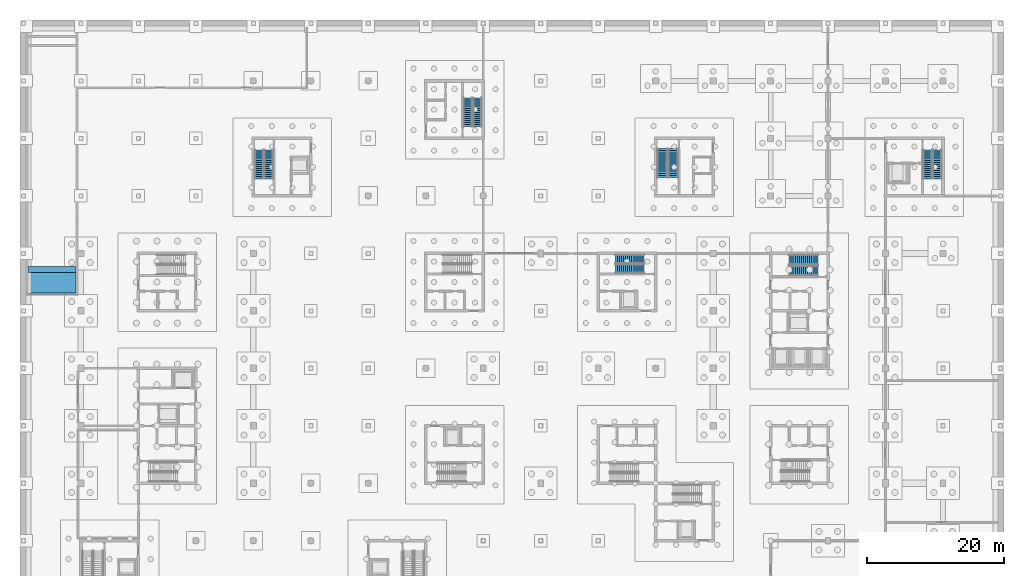
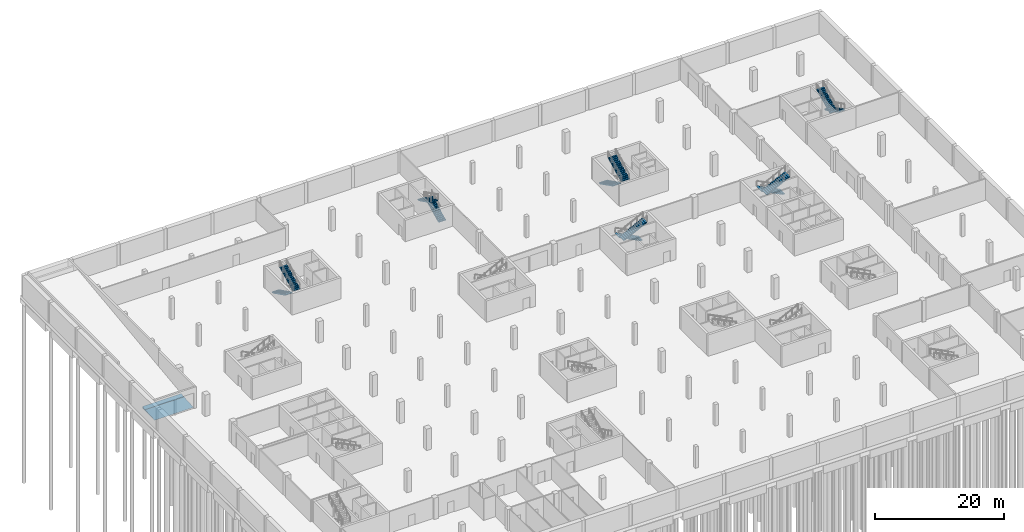
# One storey, part 20 of 23: 12 stair flights, 2 ramp flights, 7 elements without a shape of their own.
"""IFC4 building model written with IfcOpenShell, lengths in metres."""

from ifc_helpers import new_model, si_unit, direction, frame, origin, place, context, subcontext, project, spatial, polyline, outline, extrude, material, layer, layer_set, type_object, element, aggregate, save


model = new_model("IFC4")

# Units and contexts
model_context = context("Model", 3, precision=1e-05, world=origin(), true_north=direction((0.0, 1.0)))
body_context = subcontext(model_context, "Body", "Model", "MODEL_VIEW")
ifc_project = project(units=[si_unit("LENGTHUNIT", "METRE"), si_unit("AREAUNIT", "SQUARE_METRE"), si_unit("VOLUMEUNIT", "CUBIC_METRE"), si_unit("PLANEANGLEUNIT", "RADIAN"), si_unit("MASSUNIT", "GRAM", prefix="KILO")], contexts=[model_context])

# Site, building, storey
site_placement = place(None, origin())
site = spatial("IfcSite", under=ifc_project, at=site_placement, CompositionType="ELEMENT")
building_placement = place(site_placement, origin())
building = spatial("IfcBuilding", under=site, at=building_placement, Name="Hlaing Beacon Police Headquarters", CompositionType="ELEMENT")
storey_placement = place(building_placement, frame((0.0, 0.0, -4.5)))
storey = spatial("IfcBuildingStorey", under=building, at=storey_placement, Name="B1", CompositionType="ELEMENT", Elevation=-4.5)

# Stair, stair flights
ifc_material_1 = material(Name="Concrete C40/50", Category="concrete")
stair_type_1 = type_object("IfcStairType", Name="Half-turn stair 1300 wide, 4500 rise", PredefinedType="HALF_TURN_STAIR", material=ifc_material_1)
stair_1_placement = place(storey_placement, origin())
stair_1 = element("IfcStair", 1, at=stair_1_placement, inside=storey, type_object=stair_type_1, Name="Stair ST-D", PredefinedType="HALF_TURN_STAIR")
ifc_material_2 = material(Name="Concrete C40/50", Category="concrete")
stair_flight_type_1 = type_object("IfcStairFlightType", Name="Stair flight 1300 wide, 15 risers", PredefinedType="STRAIGHT", material=ifc_material_2)
stair_flight_1_placement = place(storey_placement, frame((90.699951171875, 66.35009765625, 0.0), z_axis=(0.0, 0.0, 1.0), x_axis=(-1.0, 0.0, 0.0)))
stair_flight_1 = element("IfcStairFlight", 2, at=stair_flight_1_placement, type_object=stair_flight_type_1, Name="ST-D flight 1", NumberOfRisers=15, NumberOfTreads=14, PredefinedType="STRAIGHT", RiserHeight=0.15, TreadLength=0.3, context=body_context, shape_type="SweptSolid", body=[
    extrude(outline(polyline([(0.0, 0.0), (0.0, 0.14990234375), (0.300048828125, 0.14990234375), (0.300048828125, 0.300048828125), (0.60009765625, 0.300048828125), (0.60009765625, 0.449951171875), (0.89990234375, 0.449951171875), (0.89990234375, 0.60009765625), (1.199951171875, 0.60009765625), (1.199951171875, 0.75), (1.5, 0.75), (1.5, 0.89990234375), (1.800048828125, 0.89990234375), (1.800048828125, 1.050048828125), (2.10009765625, 1.050048828125), (2.10009765625, 1.199951171875), (2.39990234375, 1.199951171875), (2.39990234375, 1.35009765625), (2.699951171875, 1.35009765625), (2.699951171875, 1.5), (3.0, 1.5), (3.0, 1.64990234375), (3.300048828125, 1.64990234375), (3.300048828125, 1.800048828125), (3.60009765625, 1.800048828125), (3.60009765625, 1.949951171875), (3.89990234375, 1.949951171875), (3.89990234375, 2.10009765625), (4.199951171875, 2.10009765625), (4.199951171875, 2.25), (4.199951171875, 1.932373046875), (0.335205078125, 0.0), (0.0, 0.0)])), frame((0.0, 0.64990234375, 0.0), z_axis=(0.0, -1.0, 0.0), x_axis=(1.0, 0.0, 0.0)), (0.0, 0.0, 1.0), 1.300048828125),
])
stair_flight_2_placement = place(storey_placement, frame((86.5, 64.949951171875, 2.25), z_axis=(0.0, 0.0, 1.0), x_axis=(1.0, 0.0, 0.0)))
stair_flight_2 = element("IfcStairFlight", 3, at=stair_flight_2_placement, type_object=stair_flight_type_1, Name="ST-D flight 2", NumberOfRisers=15, NumberOfTreads=14, PredefinedType="STRAIGHT", RiserHeight=0.15, TreadLength=0.3, context=body_context, shape_type="SweptSolid", body=[
    extrude(outline(polyline([(0.0, 0.0), (0.0, 0.14990234375), (0.300048828125, 0.14990234375), (0.300048828125, 0.300048828125), (0.60009765625, 0.300048828125), (0.60009765625, 0.449951171875), (0.89990234375, 0.449951171875), (0.89990234375, 0.60009765625), (1.199951171875, 0.60009765625), (1.199951171875, 0.75), (1.5, 0.75), (1.5, 0.89990234375), (1.800048828125, 0.89990234375), (1.800048828125, 1.050048828125), (2.10009765625, 1.050048828125), (2.10009765625, 1.199951171875), (2.39990234375, 1.199951171875), (2.39990234375, 1.35009765625), (2.699951171875, 1.35009765625), (2.699951171875, 1.5), (3.0, 1.5), (3.0, 1.64990234375), (3.300048828125, 1.64990234375), (3.300048828125, 1.800048828125), (3.60009765625, 1.800048828125), (3.60009765625, 1.949951171875), (3.89990234375, 1.949951171875), (3.89990234375, 2.10009765625), (4.199951171875, 2.10009765625), (4.199951171875, 2.25), (4.199951171875, 1.932373046875), (0.335205078125, 0.0), (0.0, 0.0)])), frame((0.0, 0.64990234375, 0.0), z_axis=(0.0, -1.0, 0.0), x_axis=(1.0, 0.0, 0.0)), (0.0, 0.0, 1.0), 1.300048828125),
])
aggregate(stair_1, [stair_flight_1, stair_flight_2])

stair_2_placement = place(storey_placement, origin())
stair_2 = element("IfcStair", 4, at=stair_2_placement, inside=storey, type_object=stair_type_1, Name="Stair ST-E", PredefinedType="HALF_TURN_STAIR")
stair_flight_3_placement = place(storey_placement, frame((34.449951171875, 82.300048828125, 0.0), z_axis=(0.0, 0.0, 1.0), x_axis=(0.0, -1.0, 0.0)))
stair_flight_3 = element("IfcStairFlight", 5, at=stair_flight_3_placement, type_object=stair_flight_type_1, Name="ST-E flight 1", NumberOfRisers=15, NumberOfTreads=14, PredefinedType="STRAIGHT", RiserHeight=0.15, TreadLength=0.3, context=body_context, shape_type="SweptSolid", body=[
    extrude(outline(polyline([(0.0, 0.0), (0.0, 0.14990234375), (0.300048828125, 0.14990234375), (0.300048828125, 0.300048828125), (0.60009765625, 0.300048828125), (0.60009765625, 0.449951171875), (0.89990234375, 0.449951171875), (0.89990234375, 0.60009765625), (1.199951171875, 0.60009765625), (1.199951171875, 0.75), (1.5, 0.75), (1.5, 0.89990234375), (1.800048828125, 0.89990234375), (1.800048828125, 1.050048828125), (2.10009765625, 1.050048828125), (2.10009765625, 1.199951171875), (2.39990234375, 1.199951171875), (2.39990234375, 1.35009765625), (2.699951171875, 1.35009765625), (2.699951171875, 1.5), (3.0, 1.5), (3.0, 1.64990234375), (3.300048828125, 1.64990234375), (3.300048828125, 1.800048828125), (3.60009765625, 1.800048828125), (3.60009765625, 1.949951171875), (3.89990234375, 1.949951171875), (3.89990234375, 2.10009765625), (4.199951171875, 2.10009765625), (4.199951171875, 2.25), (4.199951171875, 1.932373046875), (0.335205078125, 0.0), (0.0, 0.0)])), frame((0.0, 0.64990234375, 0.0), z_axis=(0.0, -1.0, 0.0), x_axis=(1.0, 0.0, 0.0)), (0.0, 0.0, 1.0), 1.300048828125),
])
stair_flight_4_placement = place(storey_placement, frame((35.85009765625, 78.10009765625, 2.25), z_axis=(0.0, 0.0, 1.0), x_axis=(0.0, 1.0, 0.0)))
stair_flight_4 = element("IfcStairFlight", 6, at=stair_flight_4_placement, type_object=stair_flight_type_1, Name="ST-E flight 2", NumberOfRisers=15, NumberOfTreads=14, PredefinedType="STRAIGHT", RiserHeight=0.15, TreadLength=0.3, context=body_context, shape_type="SweptSolid", body=[
    extrude(outline(polyline([(0.0, 0.0), (0.0, 0.14990234375), (0.300048828125, 0.14990234375), (0.300048828125, 0.300048828125), (0.60009765625, 0.300048828125), (0.60009765625, 0.449951171875), (0.89990234375, 0.449951171875), (0.89990234375, 0.60009765625), (1.199951171875, 0.60009765625), (1.199951171875, 0.75), (1.5, 0.75), (1.5, 0.89990234375), (1.800048828125, 0.89990234375), (1.800048828125, 1.050048828125), (2.10009765625, 1.050048828125), (2.10009765625, 1.199951171875), (2.39990234375, 1.199951171875), (2.39990234375, 1.35009765625), (2.699951171875, 1.35009765625), (2.699951171875, 1.5), (3.0, 1.5), (3.0, 1.64990234375), (3.300048828125, 1.64990234375), (3.300048828125, 1.800048828125), (3.60009765625, 1.800048828125), (3.60009765625, 1.949951171875), (3.89990234375, 1.949951171875), (3.89990234375, 2.10009765625), (4.199951171875, 2.10009765625), (4.199951171875, 2.25), (4.199951171875, 1.932373046875), (0.335205078125, 0.0), (0.0, 0.0)])), frame((0.0, 0.64990234375, 0.0), z_axis=(0.0, -1.0, 0.0), x_axis=(1.0, 0.0, 0.0)), (0.0, 0.0, 1.0), 1.300048828125),
])
aggregate(stair_2, [stair_flight_3, stair_flight_4])

stair_3_placement = place(storey_placement, origin())
stair_3 = element("IfcStair", 7, at=stair_3_placement, inside=storey, type_object=stair_type_1, Name="Stair ST-F", PredefinedType="HALF_TURN_STAIR")
stair_flight_5_placement = place(storey_placement, frame((66.35009765625, 85.699951171875, 0.0), z_axis=(0.0, 0.0, 1.0), x_axis=(0.0, 1.0, 0.0)))
stair_flight_5 = element("IfcStairFlight", 8, at=stair_flight_5_placement, type_object=stair_flight_type_1, Name="ST-F flight 1", NumberOfRisers=15, NumberOfTreads=14, PredefinedType="STRAIGHT", RiserHeight=0.15, TreadLength=0.3, context=body_context, shape_type="SweptSolid", body=[
    extrude(outline(polyline([(0.0, 0.0), (0.0, 0.14990234375), (0.300048828125, 0.14990234375), (0.300048828125, 0.300048828125), (0.60009765625, 0.300048828125), (0.60009765625, 0.449951171875), (0.89990234375, 0.449951171875), (0.89990234375, 0.60009765625), (1.199951171875, 0.60009765625), (1.199951171875, 0.75), (1.5, 0.75), (1.5, 0.89990234375), (1.800048828125, 0.89990234375), (1.800048828125, 1.050048828125), (2.10009765625, 1.050048828125), (2.10009765625, 1.199951171875), (2.39990234375, 1.199951171875), (2.39990234375, 1.35009765625), (2.699951171875, 1.35009765625), (2.699951171875, 1.5), (3.0, 1.5), (3.0, 1.64990234375), (3.300048828125, 1.64990234375), (3.300048828125, 1.800048828125), (3.60009765625, 1.800048828125), (3.60009765625, 1.949951171875), (3.89990234375, 1.949951171875), (3.89990234375, 2.10009765625), (4.199951171875, 2.10009765625), (4.199951171875, 2.25), (4.199951171875, 1.932373046875), (0.335205078125, 0.0), (0.0, 0.0)])), frame((0.0, 0.64990234375, 0.0), z_axis=(0.0, -1.0, 0.0), x_axis=(1.0, 0.0, 0.0)), (0.0, 0.0, 1.0), 1.300048828125),
])
stair_flight_6_placement = place(storey_placement, frame((64.949951171875, 89.89990234375, 2.25), z_axis=(0.0, 0.0, 1.0), x_axis=(0.0, -1.0, 0.0)))
stair_flight_6 = element("IfcStairFlight", 9, at=stair_flight_6_placement, type_object=stair_flight_type_1, Name="ST-F flight 2", NumberOfRisers=15, NumberOfTreads=14, PredefinedType="STRAIGHT", RiserHeight=0.15, TreadLength=0.3, context=body_context, shape_type="SweptSolid", body=[
    extrude(outline(polyline([(0.0, 0.0), (0.0, 0.14990234375), (0.300048828125, 0.14990234375), (0.300048828125, 0.300048828125), (0.60009765625, 0.300048828125), (0.60009765625, 0.449951171875), (0.89990234375, 0.449951171875), (0.89990234375, 0.60009765625), (1.199951171875, 0.60009765625), (1.199951171875, 0.75), (1.5, 0.75), (1.5, 0.89990234375), (1.800048828125, 0.89990234375), (1.800048828125, 1.050048828125), (2.10009765625, 1.050048828125), (2.10009765625, 1.199951171875), (2.39990234375, 1.199951171875), (2.39990234375, 1.35009765625), (2.699951171875, 1.35009765625), (2.699951171875, 1.5), (3.0, 1.5), (3.0, 1.64990234375), (3.300048828125, 1.64990234375), (3.300048828125, 1.800048828125), (3.60009765625, 1.800048828125), (3.60009765625, 1.949951171875), (3.89990234375, 1.949951171875), (3.89990234375, 2.10009765625), (4.199951171875, 2.10009765625), (4.199951171875, 2.25), (4.199951171875, 1.932373046875), (0.335205078125, 0.0), (0.0, 0.0)])), frame((0.0, 0.64990234375, 0.0), z_axis=(0.0, -1.0, 0.0), x_axis=(1.0, 0.0, 0.0)), (0.0, 0.0, 1.0), 1.300048828125),
])
aggregate(stair_3, [stair_flight_5, stair_flight_6])

stair_4_placement = place(storey_placement, origin())
stair_4 = element("IfcStair", 10, at=stair_4_placement, inside=storey, type_object=stair_type_1, Name="Stair ST-R", PredefinedType="HALF_TURN_STAIR")
stair_flight_7_placement = place(storey_placement, frame((133.550048828125, 82.300048828125, 0.0), z_axis=(0.0, 0.0, 1.0), x_axis=(0.0, -1.0, 0.0)))
stair_flight_7 = element("IfcStairFlight", 11, at=stair_flight_7_placement, type_object=stair_flight_type_1, Name="ST-R flight 1", NumberOfRisers=15, NumberOfTreads=14, PredefinedType="STRAIGHT", RiserHeight=0.15, TreadLength=0.3, context=body_context, shape_type="SweptSolid", body=[
    extrude(outline(polyline([(0.0, 0.0), (0.0, 0.14990234375), (0.300048828125, 0.14990234375), (0.300048828125, 0.300048828125), (0.60009765625, 0.300048828125), (0.60009765625, 0.449951171875), (0.89990234375, 0.449951171875), (0.89990234375, 0.60009765625), (1.199951171875, 0.60009765625), (1.199951171875, 0.75), (1.5, 0.75), (1.5, 0.89990234375), (1.800048828125, 0.89990234375), (1.800048828125, 1.050048828125), (2.10009765625, 1.050048828125), (2.10009765625, 1.199951171875), (2.39990234375, 1.199951171875), (2.39990234375, 1.35009765625), (2.699951171875, 1.35009765625), (2.699951171875, 1.5), (3.0, 1.5), (3.0, 1.64990234375), (3.300048828125, 1.64990234375), (3.300048828125, 1.800048828125), (3.60009765625, 1.800048828125), (3.60009765625, 1.949951171875), (3.89990234375, 1.949951171875), (3.89990234375, 2.10009765625), (4.199951171875, 2.10009765625), (4.199951171875, 2.25), (4.199951171875, 1.932373046875), (0.335205078125, 0.0), (0.0, 0.0)])), frame((0.0, 0.64990234375, 0.0), z_axis=(0.0, -1.0, 0.0), x_axis=(1.0, 0.0, 0.0)), (0.0, 0.0, 1.0), 1.300048828125),
])
stair_flight_8_placement = place(storey_placement, frame((132.14990234375, 78.10009765625, 2.25), z_axis=(0.0, 0.0, 1.0), x_axis=(0.0, 1.0, 0.0)))
stair_flight_8 = element("IfcStairFlight", 12, at=stair_flight_8_placement, type_object=stair_flight_type_1, Name="ST-R flight 2", NumberOfRisers=15, NumberOfTreads=14, PredefinedType="STRAIGHT", RiserHeight=0.15, TreadLength=0.3, context=body_context, shape_type="SweptSolid", body=[
    extrude(outline(polyline([(0.0, 0.0), (0.0, 0.14990234375), (0.300048828125, 0.14990234375), (0.300048828125, 0.300048828125), (0.60009765625, 0.300048828125), (0.60009765625, 0.449951171875), (0.89990234375, 0.449951171875), (0.89990234375, 0.60009765625), (1.199951171875, 0.60009765625), (1.199951171875, 0.75), (1.5, 0.75), (1.5, 0.89990234375), (1.800048828125, 0.89990234375), (1.800048828125, 1.050048828125), (2.10009765625, 1.050048828125), (2.10009765625, 1.199951171875), (2.39990234375, 1.199951171875), (2.39990234375, 1.35009765625), (2.699951171875, 1.35009765625), (2.699951171875, 1.5), (3.0, 1.5), (3.0, 1.64990234375), (3.300048828125, 1.64990234375), (3.300048828125, 1.800048828125), (3.60009765625, 1.800048828125), (3.60009765625, 1.949951171875), (3.89990234375, 1.949951171875), (3.89990234375, 2.10009765625), (4.199951171875, 2.10009765625), (4.199951171875, 2.25), (4.199951171875, 1.932373046875), (0.335205078125, 0.0), (0.0, 0.0)])), frame((0.0, 0.64990234375, 0.0), z_axis=(0.0, -1.0, 0.0), x_axis=(1.0, 0.0, 0.0)), (0.0, 0.0, 1.0), 1.300048828125),
])
aggregate(stair_4, [stair_flight_7, stair_flight_8])

ifc_material_3 = material(Name="Concrete C40/50", Category="concrete")
stair_type_2 = type_object("IfcStairType", Name="Half-turn stair 1500 wide, 4500 rise", PredefinedType="HALF_TURN_STAIR", material=ifc_material_3)
stair_5_placement = place(storey_placement, origin())
stair_5 = element("IfcStair", 13, at=stair_5_placement, inside=storey, type_object=stair_type_2, Name="Stair ST-M", PredefinedType="HALF_TURN_STAIR")
ifc_material_4 = material(Name="Concrete C40/50", Category="concrete")
stair_flight_type_2 = type_object("IfcStairFlightType", Name="Stair flight 1500 wide, 15 risers", PredefinedType="STRAIGHT", material=ifc_material_4)
stair_flight_9_placement = place(storey_placement, frame((116.10009765625, 66.25, 0.0), z_axis=(0.0, 0.0, 1.0), x_axis=(-1.0, 0.0, 0.0)))
stair_flight_9 = element("IfcStairFlight", 14, at=stair_flight_9_placement, type_object=stair_flight_type_2, Name="ST-M flight 1", NumberOfRisers=15, NumberOfTreads=14, PredefinedType="STRAIGHT", RiserHeight=0.15, TreadLength=0.3, context=body_context, shape_type="SweptSolid", body=[
    extrude(outline(polyline([(0.0, 0.0), (0.0, 0.14990234375), (0.300048828125, 0.14990234375), (0.300048828125, 0.300048828125), (0.60009765625, 0.300048828125), (0.60009765625, 0.449951171875), (0.89990234375, 0.449951171875), (0.89990234375, 0.60009765625), (1.199951171875, 0.60009765625), (1.199951171875, 0.75), (1.5, 0.75), (1.5, 0.89990234375), (1.800048828125, 0.89990234375), (1.800048828125, 1.050048828125), (2.10009765625, 1.050048828125), (2.10009765625, 1.199951171875), (2.39990234375, 1.199951171875), (2.39990234375, 1.35009765625), (2.699951171875, 1.35009765625), (2.699951171875, 1.5), (3.0, 1.5), (3.0, 1.64990234375), (3.300048828125, 1.64990234375), (3.300048828125, 1.800048828125), (3.60009765625, 1.800048828125), (3.60009765625, 1.949951171875), (3.89990234375, 1.949951171875), (3.89990234375, 2.10009765625), (4.199951171875, 2.10009765625), (4.199951171875, 2.25), (4.199951171875, 1.932373046875), (0.335205078125, 0.0), (0.0, 0.0)])), frame((0.0, 0.75, 0.0), z_axis=(0.0, -1.0, 0.0), x_axis=(1.0, 0.0, 0.0)), (0.0, 0.0, 1.0), 1.5),
])
stair_flight_10_placement = place(storey_placement, frame((111.89990234375, 64.64990234375, 2.25), z_axis=(0.0, 0.0, 1.0), x_axis=(1.0, 0.0, 0.0)))
stair_flight_10 = element("IfcStairFlight", 15, at=stair_flight_10_placement, type_object=stair_flight_type_2, Name="ST-M flight 2", NumberOfRisers=15, NumberOfTreads=14, PredefinedType="STRAIGHT", RiserHeight=0.15, TreadLength=0.3, context=body_context, shape_type="SweptSolid", body=[
    extrude(outline(polyline([(0.0, 0.0), (0.0, 0.14990234375), (0.300048828125, 0.14990234375), (0.300048828125, 0.300048828125), (0.60009765625, 0.300048828125), (0.60009765625, 0.449951171875), (0.89990234375, 0.449951171875), (0.89990234375, 0.60009765625), (1.199951171875, 0.60009765625), (1.199951171875, 0.75), (1.5, 0.75), (1.5, 0.89990234375), (1.800048828125, 0.89990234375), (1.800048828125, 1.050048828125), (2.10009765625, 1.050048828125), (2.10009765625, 1.199951171875), (2.39990234375, 1.199951171875), (2.39990234375, 1.35009765625), (2.699951171875, 1.35009765625), (2.699951171875, 1.5), (3.0, 1.5), (3.0, 1.64990234375), (3.300048828125, 1.64990234375), (3.300048828125, 1.800048828125), (3.60009765625, 1.800048828125), (3.60009765625, 1.949951171875), (3.89990234375, 1.949951171875), (3.89990234375, 2.10009765625), (4.199951171875, 2.10009765625), (4.199951171875, 2.25), (4.199951171875, 1.932373046875), (0.335205078125, 0.0), (0.0, 0.0)])), frame((0.0, 0.75, 0.0), z_axis=(0.0, -1.0, 0.0), x_axis=(1.0, 0.0, 0.0)), (0.0, 0.0, 1.0), 1.5),
])
aggregate(stair_5, [stair_flight_9, stair_flight_10])

stair_6_placement = place(storey_placement, origin())
stair_6 = element("IfcStair", 16, at=stair_6_placement, inside=storey, type_object=stair_type_2, Name="Stair ST-Q", PredefinedType="HALF_TURN_STAIR")
stair_flight_11_placement = place(storey_placement, frame((93.35009765625, 82.5, 0.0), z_axis=(0.0, 0.0, 1.0), x_axis=(0.0, -1.0, 0.0)))
stair_flight_11 = element("IfcStairFlight", 17, at=stair_flight_11_placement, type_object=stair_flight_type_2, Name="ST-Q flight 1", NumberOfRisers=15, NumberOfTreads=14, PredefinedType="STRAIGHT", RiserHeight=0.15, TreadLength=0.3, context=body_context, shape_type="SweptSolid", body=[
    extrude(outline(polyline([(0.0, 0.0), (0.0, 0.14990234375), (0.300048828125, 0.14990234375), (0.300048828125, 0.300048828125), (0.60009765625, 0.300048828125), (0.60009765625, 0.449951171875), (0.89990234375, 0.449951171875), (0.89990234375, 0.60009765625), (1.199951171875, 0.60009765625), (1.199951171875, 0.75), (1.5, 0.75), (1.5, 0.89990234375), (1.800048828125, 0.89990234375), (1.800048828125, 1.050048828125), (2.10009765625, 1.050048828125), (2.10009765625, 1.199951171875), (2.39990234375, 1.199951171875), (2.39990234375, 1.35009765625), (2.699951171875, 1.35009765625), (2.699951171875, 1.5), (3.0, 1.5), (3.0, 1.64990234375), (3.300048828125, 1.64990234375), (3.300048828125, 1.800048828125), (3.60009765625, 1.800048828125), (3.60009765625, 1.949951171875), (3.89990234375, 1.949951171875), (3.89990234375, 2.10009765625), (4.199951171875, 2.10009765625), (4.199951171875, 2.25), (4.199951171875, 1.932373046875), (0.335205078125, 0.0), (0.0, 0.0)])), frame((0.0, 0.75, 0.0), z_axis=(0.0, -1.0, 0.0), x_axis=(1.0, 0.0, 0.0)), (0.0, 0.0, 1.0), 1.5),
])
stair_flight_12_placement = place(storey_placement, frame((94.949951171875, 78.300048828125, 2.25), z_axis=(0.0, 0.0, 1.0), x_axis=(0.0, 1.0, 0.0)))
stair_flight_12 = element("IfcStairFlight", 18, at=stair_flight_12_placement, type_object=stair_flight_type_2, Name="ST-Q flight 2", NumberOfRisers=15, NumberOfTreads=14, PredefinedType="STRAIGHT", RiserHeight=0.15, TreadLength=0.3, context=body_context, shape_type="SweptSolid", body=[
    extrude(outline(polyline([(0.0, 0.0), (0.0, 0.14990234375), (0.300048828125, 0.14990234375), (0.300048828125, 0.300048828125), (0.60009765625, 0.300048828125), (0.60009765625, 0.449951171875), (0.89990234375, 0.449951171875), (0.89990234375, 0.60009765625), (1.199951171875, 0.60009765625), (1.199951171875, 0.75), (1.5, 0.75), (1.5, 0.89990234375), (1.800048828125, 0.89990234375), (1.800048828125, 1.050048828125), (2.10009765625, 1.050048828125), (2.10009765625, 1.199951171875), (2.39990234375, 1.199951171875), (2.39990234375, 1.35009765625), (2.699951171875, 1.35009765625), (2.699951171875, 1.5), (3.0, 1.5), (3.0, 1.64990234375), (3.300048828125, 1.64990234375), (3.300048828125, 1.800048828125), (3.60009765625, 1.800048828125), (3.60009765625, 1.949951171875), (3.89990234375, 1.949951171875), (3.89990234375, 2.10009765625), (4.199951171875, 2.10009765625), (4.199951171875, 2.25), (4.199951171875, 1.932373046875), (0.335205078125, 0.0), (0.0, 0.0)])), frame((0.0, 0.75, 0.0), z_axis=(0.0, -1.0, 0.0), x_axis=(1.0, 0.0, 0.0)), (0.0, 0.0, 1.0), 1.5),
])
aggregate(stair_6, [stair_flight_11, stair_flight_12])

# Ramp, ramp flights
ifc_material_5 = material(Name="Concrete C40/50", Category="concrete")
ramp_type = type_object("IfcRampType", Name="Car ramp", PredefinedType="STRAIGHT_RUN_RAMP", material=ifc_material_5)
ramp_placement = place(storey_placement, origin())
ramp = element("IfcRamp", 19, at=ramp_placement, inside=storey, type_object=ramp_type, Name="Vehicle Ramp to Basement", PredefinedType="STRAIGHT_RUN_RAMP")
ifc_material_6 = material(Name="Concrete C40/50", Category="concrete")
ifc_layer = layer(ifc_material_6, 0.300048828125)
ifc_layer_set = layer_set([ifc_layer], Name="Concrete C40/50")
ramp_flight_type = type_object("IfcRampFlightType", Name="Car ramp flight", PredefinedType="STRAIGHT", material=ifc_layer_set)
ramp_flight_1_placement = place(storey_placement, frame((4.199951171875, 61.39990234375, 0.0), z_axis=(0.0, 0.0, 1.0), x_axis=(0.0, 1.0, 0.0)))
ramp_flight_1 = element("IfcRampFlight", 20, at=ramp_flight_1_placement, type_object=ramp_flight_type, Name="R1 lower transition", PredefinedType="STRAIGHT", context=body_context, shape_type="SweptSolid", body=[
    extrude(outline(polyline([(0.0, 0.0), (3.0, 0.1875), (3.0, 0.0), (0.0, 0.0)])), frame((0.0, 3.5, 0.0), z_axis=(0.0, -1.0, 0.0), x_axis=(1.0, 0.0, 0.0)), (0.0, 0.0, 1.0), 7.0),
])
ramp_flight_2_placement = place(storey_placement, frame((4.199951171875, 64.39990234375, 0.1875), z_axis=(0.0, 0.0, 1.0), x_axis=(0.0, 1.0, 0.0)))
ramp_flight_2 = element("IfcRampFlight", 21, at=ramp_flight_2_placement, type_object=ramp_flight_type, Name="R1 flight toe", PredefinedType="STRAIGHT", context=body_context, shape_type="SweptSolid", body=[
    extrude(outline(polyline([(0.0, 0.0), (0.85205078125, 0.1064453125), (0.85205078125, -0.1875), (0.0, -0.1875), (0.0, 0.0)])), frame((0.0, 3.5, 0.0), z_axis=(0.0, -1.0, 0.0), x_axis=(1.0, 0.0, 0.0)), (0.0, 0.0, 1.0), 7.0),
])
aggregate(ramp, [ramp_flight_1, ramp_flight_2])

save(model, "model.ifc")
